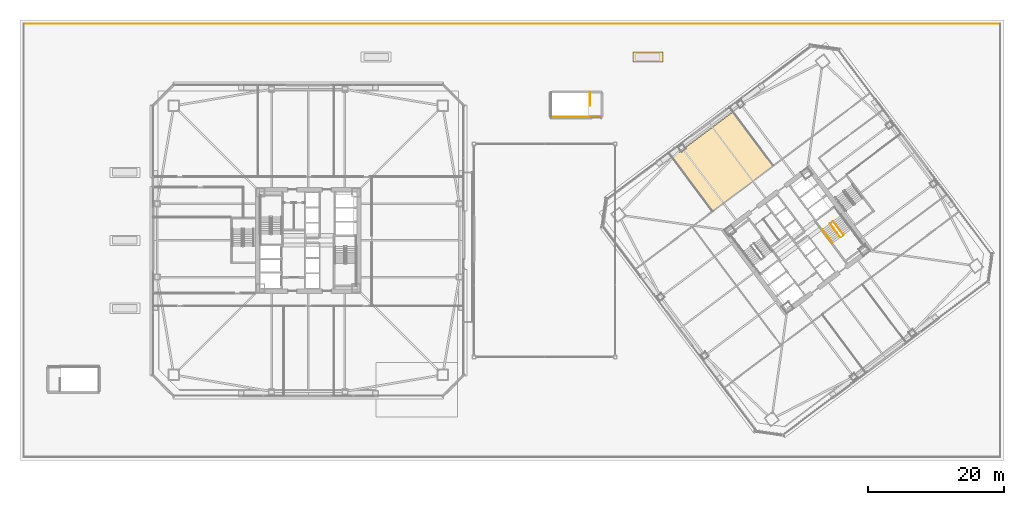
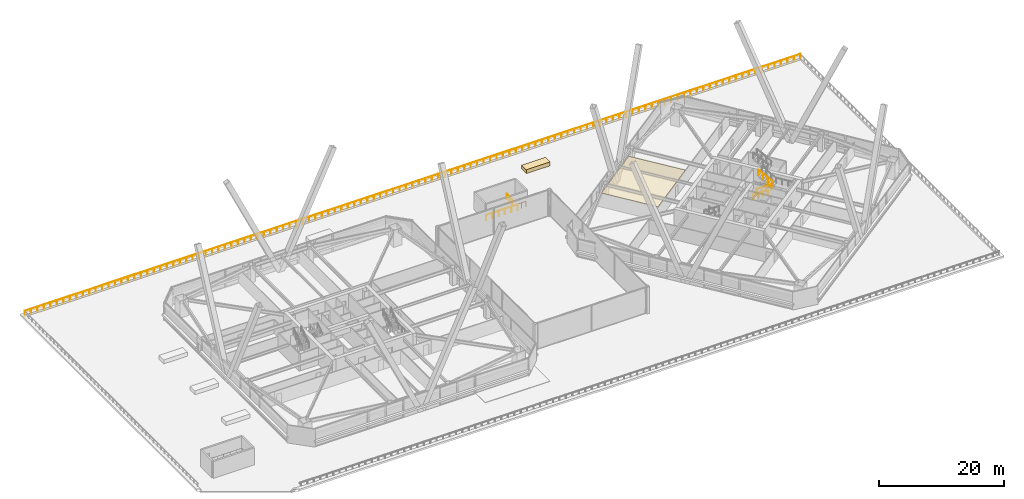
# One storey, part 80 of 83: 7 railings, 2 coverings.
"""IFC4 building model written with IfcOpenShell, lengths in metres."""

from ifc_helpers import new_model, si_unit, direction, frame, origin, origin_2d, place, context, subcontext, project, spatial, polyline, rectangle, outline, extrude, material, layer, layer_set, type_object, element, save


model = new_model("IFC4")

# Units and contexts
model_context = context("Model", 3, precision=1e-05, world=origin(), true_north=direction((0.0, 1.0)))
body_context = subcontext(model_context, "Body", "Model", "MODEL_VIEW")
ifc_project = project(units=[si_unit("LENGTHUNIT", "METRE"), si_unit("AREAUNIT", "SQUARE_METRE"), si_unit("VOLUMEUNIT", "CUBIC_METRE"), si_unit("PLANEANGLEUNIT", "RADIAN"), si_unit("MASSUNIT", "GRAM", prefix="KILO")], contexts=[model_context])

# Site, building, storey
site_placement = place(None, origin())
site = spatial("IfcSite", under=ifc_project, at=site_placement, CompositionType="ELEMENT")
building_placement = place(site_placement, origin())
building = spatial("IfcBuilding", under=site, at=building_placement, Name="Tashvorn Skyway Center", CompositionType="ELEMENT")
storey_placement = place(building_placement, frame((0.0, 0.0, 24.60009765625)))
storey = spatial("IfcBuildingStorey", under=building, at=storey_placement, Name="L05", CompositionType="ELEMENT", Elevation=24.60009765625)

# Coverings
ifc_material_1 = material(Name="Mineral-fibre acoustic ceiling tile on suspended grid")
ifc_layer_1 = layer(ifc_material_1, 0.02001953125)
ifc_layer_set_1 = layer_set([ifc_layer_1], Name="Mineral-fibre acoustic ceiling tile on suspended grid")
covering_type_1 = type_object("IfcCoveringType", Name="COV-CEIL-20", PredefinedType="CEILING", material=ifc_layer_set_1)
covering_1_placement = place(storey_placement, frame((0.0, 0.0, 2.682861328125)))
element("IfcCovering", 1, at=covering_1_placement, inside=storey, type_object=covering_type_1, Name="Tower 2 L05 Open Plan Office Acoustic Ceiling", PredefinedType="CEILING", context=body_context, shape_type="SweptSolid", body=[
    extrude(outline(polyline([(101.5400390625, 36.280029296875), (110.5, 43.0), (104.56005859375, 50.919921875), (95.60009765625, 44.199951171875), (101.5400390625, 36.280029296875)])), origin(), (0.0, 0.0, 1.0), 0.02001953125),
])
ifc_material_2 = material(Name="Precast concrete C40/50", Category="concrete")
ifc_layer_2 = layer(ifc_material_2, 0.35009765625)
ifc_layer_set_2 = layer_set([ifc_layer_2], Name="Precast concrete C40/50")
covering_type_2 = type_object("IfcCoveringType", Name="COV-STONE-TRIM", PredefinedType="CLADDING", material=ifc_layer_set_2)
covering_2_placement = place(storey_placement, frame((92.0, 59.0, 0.0), z_axis=(0.0, 0.0, 1.0), x_axis=(1.0, 0.0, 0.0)))
element("IfcCovering", 2, at=covering_2_placement, inside=storey, type_object=covering_type_2, Name="L05 Podium Roof Garden Stone Planter Kerb 5", PredefinedType="CLADDING", context=body_context, shape_type="SweptSolid", body=[
    extrude(rectangle(XDim=4.39990234375, YDim=1.5, at=origin_2d()), origin(), (0.0, 0.0, 1.0), 0.760009765625),
])

# Railings
ifc_material_3 = material(Name="Galvanized steel S355", Category="steel")
railing_type_1 = type_object("IfcRailingType", Name="RAIL-GUARD-1120", PredefinedType="GUARDRAIL", material=ifc_material_3)
railing_1_placement = place(storey_placement, frame((143.89990234375, 63.89990234375, 0.0)))
element("IfcRailing", 3, at=railing_1_placement, inside=storey, type_object=railing_type_1, Name="L05 Podium Roof Garden Perimeter Guardrail 03", PredefinedType="GUARDRAIL", context=body_context, shape_type="SweptSolid", body=[
    extrude(rectangle(XDim=0.048095703125, YDim=0.048095703125, at=origin_2d()), frame((0.0, 0.0, 1.09619140625), z_axis=(-1.0, 0.0, 0.0), x_axis=(0.0, -1.0, 0.0)), (0.0, 0.0, 1.0), 143.7998046875),
    extrude(rectangle(XDim=0.0419921875, YDim=0.0419921875, at=origin_2d()), origin(), (0.0, 0.0, 1.0), 1.072021484375),
    extrude(rectangle(XDim=0.0419921875, YDim=0.0419921875, at=origin_2d()), frame((-1.1982421875, 0.0, 0.0)), (0.0, 0.0, 1.0), 1.072021484375),
    extrude(rectangle(XDim=0.0419921875, YDim=0.0419921875, at=origin_2d()), frame((-2.396728515625, 0.0, 0.0)), (0.0, 0.0, 1.0), 1.072021484375),
    extrude(rectangle(XDim=0.0419921875, YDim=0.0419921875, at=origin_2d()), frame((-3.594970703125, 0.0, 0.0)), (0.0, 0.0, 1.0), 1.072021484375),
    extrude(rectangle(XDim=0.0419921875, YDim=0.0419921875, at=origin_2d()), frame((-4.793212890625, 0.0, 0.0)), (0.0, 0.0, 1.0), 1.072021484375),
    extrude(rectangle(XDim=0.0419921875, YDim=0.0419921875, at=origin_2d()), frame((-5.99169921875, 0.0, 0.0)), (0.0, 0.0, 1.0), 1.072021484375),
    extrude(rectangle(XDim=0.0419921875, YDim=0.0419921875, at=origin_2d()), frame((-7.18994140625, 0.0, 0.0)), (0.0, 0.0, 1.0), 1.072021484375),
    extrude(rectangle(XDim=0.0419921875, YDim=0.0419921875, at=origin_2d()), frame((-8.388427734375, 0.0, 0.0)), (0.0, 0.0, 1.0), 1.072021484375),
    extrude(rectangle(XDim=0.0419921875, YDim=0.0419921875, at=origin_2d()), frame((-9.586669921875, 0.0, 0.0)), (0.0, 0.0, 1.0), 1.072021484375),
    extrude(rectangle(XDim=0.0419921875, YDim=0.0419921875, at=origin_2d()), frame((-10.784912109375, 0.0, 0.0)), (0.0, 0.0, 1.0), 1.072021484375),
    extrude(rectangle(XDim=0.0419921875, YDim=0.0419921875, at=origin_2d()), frame((-11.9833984375, 0.0, 0.0)), (0.0, 0.0, 1.0), 1.072021484375),
    extrude(rectangle(XDim=0.0419921875, YDim=0.0419921875, at=origin_2d()), frame((-13.181640625, 0.0, 0.0)), (0.0, 0.0, 1.0), 1.072021484375),
    extrude(rectangle(XDim=0.0419921875, YDim=0.0419921875, at=origin_2d()), frame((-14.3798828125, 0.0, 0.0)), (0.0, 0.0, 1.0), 1.072021484375),
    extrude(rectangle(XDim=0.0419921875, YDim=0.0419921875, at=origin_2d()), frame((-15.578369140625, 0.0, 0.0)), (0.0, 0.0, 1.0), 1.072021484375),
    extrude(rectangle(XDim=0.0419921875, YDim=0.0419921875, at=origin_2d()), frame((-16.776611328125, 0.0, 0.0)), (0.0, 0.0, 1.0), 1.072021484375),
    extrude(rectangle(XDim=0.0419921875, YDim=0.0419921875, at=origin_2d()), frame((-17.97509765625, 0.0, 0.0)), (0.0, 0.0, 1.0), 1.072021484375),
    extrude(rectangle(XDim=0.0419921875, YDim=0.0419921875, at=origin_2d()), frame((-19.17333984375, 0.0, 0.0)), (0.0, 0.0, 1.0), 1.072021484375),
    extrude(rectangle(XDim=0.0419921875, YDim=0.0419921875, at=origin_2d()), frame((-20.37158203125, 0.0, 0.0)), (0.0, 0.0, 1.0), 1.072021484375),
    extrude(rectangle(XDim=0.0419921875, YDim=0.0419921875, at=origin_2d()), frame((-21.570068359375, 0.0, 0.0)), (0.0, 0.0, 1.0), 1.072021484375),
    extrude(rectangle(XDim=0.0419921875, YDim=0.0419921875, at=origin_2d()), frame((-22.768310546875, 0.0, 0.0)), (0.0, 0.0, 1.0), 1.072021484375),
    extrude(rectangle(XDim=0.0419921875, YDim=0.0419921875, at=origin_2d()), frame((-23.966552734375, 0.0, 0.0)), (0.0, 0.0, 1.0), 1.072021484375),
    extrude(rectangle(XDim=0.0419921875, YDim=0.0419921875, at=origin_2d()), frame((-25.1650390625, 0.0, 0.0)), (0.0, 0.0, 1.0), 1.072021484375),
    extrude(rectangle(XDim=0.0419921875, YDim=0.0419921875, at=origin_2d()), frame((-26.36328125, 0.0, 0.0)), (0.0, 0.0, 1.0), 1.072021484375),
    extrude(rectangle(XDim=0.0419921875, YDim=0.0419921875, at=origin_2d()), frame((-27.5615234375, 0.0, 0.0)), (0.0, 0.0, 1.0), 1.072021484375),
    extrude(rectangle(XDim=0.0419921875, YDim=0.0419921875, at=origin_2d()), frame((-28.760009765625, 0.0, 0.0)), (0.0, 0.0, 1.0), 1.072021484375),
    extrude(rectangle(XDim=0.0419921875, YDim=0.0419921875, at=origin_2d()), frame((-29.958251953125, 0.0, 0.0)), (0.0, 0.0, 1.0), 1.072021484375),
    extrude(rectangle(XDim=0.0419921875, YDim=0.0419921875, at=origin_2d()), frame((-31.15673828125, 0.0, 0.0)), (0.0, 0.0, 1.0), 1.072021484375),
    extrude(rectangle(XDim=0.0419921875, YDim=0.0419921875, at=origin_2d()), frame((-32.35498046875, 0.0, 0.0)), (0.0, 0.0, 1.0), 1.072021484375),
    extrude(rectangle(XDim=0.0419921875, YDim=0.0419921875, at=origin_2d()), frame((-33.55322265625, 0.0, 0.0)), (0.0, 0.0, 1.0), 1.072021484375),
    extrude(rectangle(XDim=0.0419921875, YDim=0.0419921875, at=origin_2d()), frame((-34.751708984375, 0.0, 0.0)), (0.0, 0.0, 1.0), 1.072021484375),
    extrude(rectangle(XDim=0.0419921875, YDim=0.0419921875, at=origin_2d()), frame((-35.949951171875, 0.0, 0.0)), (0.0, 0.0, 1.0), 1.072021484375),
    extrude(rectangle(XDim=0.0419921875, YDim=0.0419921875, at=origin_2d()), frame((-37.148193359375, 0.0, 0.0)), (0.0, 0.0, 1.0), 1.072021484375),
    extrude(rectangle(XDim=0.0419921875, YDim=0.0419921875, at=origin_2d()), frame((-38.3466796875, 0.0, 0.0)), (0.0, 0.0, 1.0), 1.072021484375),
    extrude(rectangle(XDim=0.0419921875, YDim=0.0419921875, at=origin_2d()), frame((-39.544921875, 0.0, 0.0)), (0.0, 0.0, 1.0), 1.072021484375),
    extrude(rectangle(XDim=0.0419921875, YDim=0.0419921875, at=origin_2d()), frame((-40.7431640625, 0.0, 0.0)), (0.0, 0.0, 1.0), 1.072021484375),
    extrude(rectangle(XDim=0.0419921875, YDim=0.0419921875, at=origin_2d()), frame((-41.941650390625, 0.0, 0.0)), (0.0, 0.0, 1.0), 1.072021484375),
    extrude(rectangle(XDim=0.0419921875, YDim=0.0419921875, at=origin_2d()), frame((-43.139892578125, 0.0, 0.0)), (0.0, 0.0, 1.0), 1.072021484375),
    extrude(rectangle(XDim=0.0419921875, YDim=0.0419921875, at=origin_2d()), frame((-44.33837890625, 0.0, 0.0)), (0.0, 0.0, 1.0), 1.072021484375),
    extrude(rectangle(XDim=0.0419921875, YDim=0.0419921875, at=origin_2d()), frame((-45.53662109375, 0.0, 0.0)), (0.0, 0.0, 1.0), 1.072021484375),
    extrude(rectangle(XDim=0.0419921875, YDim=0.0419921875, at=origin_2d()), frame((-46.73486328125, 0.0, 0.0)), (0.0, 0.0, 1.0), 1.072021484375),
    extrude(rectangle(XDim=0.0419921875, YDim=0.0419921875, at=origin_2d()), frame((-47.933349609375, 0.0, 0.0)), (0.0, 0.0, 1.0), 1.072021484375),
    extrude(rectangle(XDim=0.0419921875, YDim=0.0419921875, at=origin_2d()), frame((-49.131591796875, 0.0, 0.0)), (0.0, 0.0, 1.0), 1.072021484375),
    extrude(rectangle(XDim=0.0419921875, YDim=0.0419921875, at=origin_2d()), frame((-50.329833984375, 0.0, 0.0)), (0.0, 0.0, 1.0), 1.072021484375),
    extrude(rectangle(XDim=0.0419921875, YDim=0.0419921875, at=origin_2d()), frame((-51.5283203125, 0.0, 0.0)), (0.0, 0.0, 1.0), 1.072021484375),
    extrude(rectangle(XDim=0.0419921875, YDim=0.0419921875, at=origin_2d()), frame((-52.7265625, 0.0, 0.0)), (0.0, 0.0, 1.0), 1.072021484375),
    extrude(rectangle(XDim=0.0419921875, YDim=0.0419921875, at=origin_2d()), frame((-53.9248046875, 0.0, 0.0)), (0.0, 0.0, 1.0), 1.072021484375),
    extrude(rectangle(XDim=0.0419921875, YDim=0.0419921875, at=origin_2d()), frame((-55.123291015625, 0.0, 0.0)), (0.0, 0.0, 1.0), 1.072021484375),
    extrude(rectangle(XDim=0.0419921875, YDim=0.0419921875, at=origin_2d()), frame((-56.321533203125, 0.0, 0.0)), (0.0, 0.0, 1.0), 1.072021484375),
    extrude(rectangle(XDim=0.0419921875, YDim=0.0419921875, at=origin_2d()), frame((-57.52001953125, 0.0, 0.0)), (0.0, 0.0, 1.0), 1.072021484375),
    extrude(rectangle(XDim=0.0419921875, YDim=0.0419921875, at=origin_2d()), frame((-58.71826171875, 0.0, 0.0)), (0.0, 0.0, 1.0), 1.072021484375),
    extrude(rectangle(XDim=0.0419921875, YDim=0.0419921875, at=origin_2d()), frame((-59.91650390625, 0.0, 0.0)), (0.0, 0.0, 1.0), 1.072021484375),
    extrude(rectangle(XDim=0.0419921875, YDim=0.0419921875, at=origin_2d()), frame((-61.114990234375, 0.0, 0.0)), (0.0, 0.0, 1.0), 1.072021484375),
    extrude(rectangle(XDim=0.0419921875, YDim=0.0419921875, at=origin_2d()), frame((-62.313232421875, 0.0, 0.0)), (0.0, 0.0, 1.0), 1.072021484375),
    extrude(rectangle(XDim=0.0419921875, YDim=0.0419921875, at=origin_2d()), frame((-63.511474609375, 0.0, 0.0)), (0.0, 0.0, 1.0), 1.072021484375),
    extrude(rectangle(XDim=0.0419921875, YDim=0.0419921875, at=origin_2d()), frame((-64.7099609375, 0.0, 0.0)), (0.0, 0.0, 1.0), 1.072021484375),
    extrude(rectangle(XDim=0.0419921875, YDim=0.0419921875, at=origin_2d()), frame((-65.908203125, 0.0, 0.0)), (0.0, 0.0, 1.0), 1.072021484375),
    extrude(rectangle(XDim=0.0419921875, YDim=0.0419921875, at=origin_2d()), frame((-67.106689453125, 0.0, 0.0)), (0.0, 0.0, 1.0), 1.072021484375),
    extrude(rectangle(XDim=0.0419921875, YDim=0.0419921875, at=origin_2d()), frame((-68.304931640625, 0.0, 0.0)), (0.0, 0.0, 1.0), 1.072021484375),
    extrude(rectangle(XDim=0.0419921875, YDim=0.0419921875, at=origin_2d()), frame((-69.503173828125, 0.0, 0.0)), (0.0, 0.0, 1.0), 1.072021484375),
    extrude(rectangle(XDim=0.0419921875, YDim=0.0419921875, at=origin_2d()), frame((-70.70166015625, 0.0, 0.0)), (0.0, 0.0, 1.0), 1.072021484375),
    extrude(rectangle(XDim=0.0419921875, YDim=0.0419921875, at=origin_2d()), frame((-71.89990234375, 0.0, 0.0)), (0.0, 0.0, 1.0), 1.072021484375),
    extrude(rectangle(XDim=0.0419921875, YDim=0.0419921875, at=origin_2d()), frame((-73.09814453125, 0.0, 0.0)), (0.0, 0.0, 1.0), 1.072021484375),
    extrude(rectangle(XDim=0.0419921875, YDim=0.0419921875, at=origin_2d()), frame((-74.296630859375, 0.0, 0.0)), (0.0, 0.0, 1.0), 1.072021484375),
    extrude(rectangle(XDim=0.0419921875, YDim=0.0419921875, at=origin_2d()), frame((-75.494873046875, 0.0, 0.0)), (0.0, 0.0, 1.0), 1.072021484375),
    extrude(rectangle(XDim=0.0419921875, YDim=0.0419921875, at=origin_2d()), frame((-76.693115234375, 0.0, 0.0)), (0.0, 0.0, 1.0), 1.072021484375),
    extrude(rectangle(XDim=0.0419921875, YDim=0.0419921875, at=origin_2d()), frame((-77.8916015625, 0.0, 0.0)), (0.0, 0.0, 1.0), 1.072021484375),
    extrude(rectangle(XDim=0.0419921875, YDim=0.0419921875, at=origin_2d()), frame((-79.08984375, 0.0, 0.0)), (0.0, 0.0, 1.0), 1.072021484375),
    extrude(rectangle(XDim=0.0419921875, YDim=0.0419921875, at=origin_2d()), frame((-80.288330078125, 0.0, 0.0)), (0.0, 0.0, 1.0), 1.072021484375),
    extrude(rectangle(XDim=0.0419921875, YDim=0.0419921875, at=origin_2d()), frame((-81.486572265625, 0.0, 0.0)), (0.0, 0.0, 1.0), 1.072021484375),
    extrude(rectangle(XDim=0.0419921875, YDim=0.0419921875, at=origin_2d()), frame((-82.684814453125, 0.0, 0.0)), (0.0, 0.0, 1.0), 1.072021484375),
    extrude(rectangle(XDim=0.0419921875, YDim=0.0419921875, at=origin_2d()), frame((-83.88330078125, 0.0, 0.0)), (0.0, 0.0, 1.0), 1.072021484375),
    extrude(rectangle(XDim=0.0419921875, YDim=0.0419921875, at=origin_2d()), frame((-85.08154296875, 0.0, 0.0)), (0.0, 0.0, 1.0), 1.072021484375),
    extrude(rectangle(XDim=0.0419921875, YDim=0.0419921875, at=origin_2d()), frame((-86.27978515625, 0.0, 0.0)), (0.0, 0.0, 1.0), 1.072021484375),
    extrude(rectangle(XDim=0.0419921875, YDim=0.0419921875, at=origin_2d()), frame((-87.478271484375, 0.0, 0.0)), (0.0, 0.0, 1.0), 1.072021484375),
    extrude(rectangle(XDim=0.0419921875, YDim=0.0419921875, at=origin_2d()), frame((-88.676513671875, 0.0, 0.0)), (0.0, 0.0, 1.0), 1.072021484375),
    extrude(rectangle(XDim=0.0419921875, YDim=0.0419921875, at=origin_2d()), frame((-89.875, 0.0, 0.0)), (0.0, 0.0, 1.0), 1.072021484375),
    extrude(rectangle(XDim=0.0419921875, YDim=0.0419921875, at=origin_2d()), frame((-91.0732421875, 0.0, 0.0)), (0.0, 0.0, 1.0), 1.072021484375),
    extrude(rectangle(XDim=0.0419921875, YDim=0.0419921875, at=origin_2d()), frame((-92.271484375, 0.0, 0.0)), (0.0, 0.0, 1.0), 1.072021484375),
    extrude(rectangle(XDim=0.0419921875, YDim=0.0419921875, at=origin_2d()), frame((-93.469970703125, 0.0, 0.0)), (0.0, 0.0, 1.0), 1.072021484375),
    extrude(rectangle(XDim=0.0419921875, YDim=0.0419921875, at=origin_2d()), frame((-94.668212890625, 0.0, 0.0)), (0.0, 0.0, 1.0), 1.072021484375),
    extrude(rectangle(XDim=0.0419921875, YDim=0.0419921875, at=origin_2d()), frame((-95.866455078125, 0.0, 0.0)), (0.0, 0.0, 1.0), 1.072021484375),
    extrude(rectangle(XDim=0.0419921875, YDim=0.0419921875, at=origin_2d()), frame((-97.06494140625, 0.0, 0.0)), (0.0, 0.0, 1.0), 1.072021484375),
    extrude(rectangle(XDim=0.0419921875, YDim=0.0419921875, at=origin_2d()), frame((-98.26318359375, 0.0, 0.0)), (0.0, 0.0, 1.0), 1.072021484375),
    extrude(rectangle(XDim=0.0419921875, YDim=0.0419921875, at=origin_2d()), frame((-99.46142578125, 0.0, 0.0)), (0.0, 0.0, 1.0), 1.072021484375),
    extrude(rectangle(XDim=0.0419921875, YDim=0.0419921875, at=origin_2d()), frame((-100.659912109375, 0.0, 0.0)), (0.0, 0.0, 1.0), 1.072021484375),
    extrude(rectangle(XDim=0.0419921875, YDim=0.0419921875, at=origin_2d()), frame((-101.858154296875, 0.0, 0.0)), (0.0, 0.0, 1.0), 1.072021484375),
    extrude(rectangle(XDim=0.0419921875, YDim=0.0419921875, at=origin_2d()), frame((-103.056640625, 0.0, 0.0)), (0.0, 0.0, 1.0), 1.072021484375),
    extrude(rectangle(XDim=0.0419921875, YDim=0.0419921875, at=origin_2d()), frame((-104.2548828125, 0.0, 0.0)), (0.0, 0.0, 1.0), 1.072021484375),
    extrude(rectangle(XDim=0.0419921875, YDim=0.0419921875, at=origin_2d()), frame((-105.453125, 0.0, 0.0)), (0.0, 0.0, 1.0), 1.072021484375),
    extrude(rectangle(XDim=0.0419921875, YDim=0.0419921875, at=origin_2d()), frame((-106.651611328125, 0.0, 0.0)), (0.0, 0.0, 1.0), 1.072021484375),
    extrude(rectangle(XDim=0.0419921875, YDim=0.0419921875, at=origin_2d()), frame((-107.849853515625, 0.0, 0.0)), (0.0, 0.0, 1.0), 1.072021484375),
    extrude(rectangle(XDim=0.0419921875, YDim=0.0419921875, at=origin_2d()), frame((-109.048095703125, 0.0, 0.0)), (0.0, 0.0, 1.0), 1.072021484375),
    extrude(rectangle(XDim=0.0419921875, YDim=0.0419921875, at=origin_2d()), frame((-110.24658203125, 0.0, 0.0)), (0.0, 0.0, 1.0), 1.072021484375),
    extrude(rectangle(XDim=0.0419921875, YDim=0.0419921875, at=origin_2d()), frame((-111.44482421875, 0.0, 0.0)), (0.0, 0.0, 1.0), 1.072021484375),
    extrude(rectangle(XDim=0.0419921875, YDim=0.0419921875, at=origin_2d()), frame((-112.64306640625, 0.0, 0.0)), (0.0, 0.0, 1.0), 1.072021484375),
    extrude(rectangle(XDim=0.0419921875, YDim=0.0419921875, at=origin_2d()), frame((-113.841552734375, 0.0, 0.0)), (0.0, 0.0, 1.0), 1.072021484375),
    extrude(rectangle(XDim=0.0419921875, YDim=0.0419921875, at=origin_2d()), frame((-115.039794921875, 0.0, 0.0)), (0.0, 0.0, 1.0), 1.072021484375),
    extrude(rectangle(XDim=0.0419921875, YDim=0.0419921875, at=origin_2d()), frame((-116.23828125, 0.0, 0.0)), (0.0, 0.0, 1.0), 1.072021484375),
    extrude(rectangle(XDim=0.0419921875, YDim=0.0419921875, at=origin_2d()), frame((-117.4365234375, 0.0, 0.0)), (0.0, 0.0, 1.0), 1.072021484375),
    extrude(rectangle(XDim=0.0419921875, YDim=0.0419921875, at=origin_2d()), frame((-118.634765625, 0.0, 0.0)), (0.0, 0.0, 1.0), 1.072021484375),
    extrude(rectangle(XDim=0.0419921875, YDim=0.0419921875, at=origin_2d()), frame((-119.833251953125, 0.0, 0.0)), (0.0, 0.0, 1.0), 1.072021484375),
    extrude(rectangle(XDim=0.0419921875, YDim=0.0419921875, at=origin_2d()), frame((-121.031494140625, 0.0, 0.0)), (0.0, 0.0, 1.0), 1.072021484375),
    extrude(rectangle(XDim=0.0419921875, YDim=0.0419921875, at=origin_2d()), frame((-122.229736328125, 0.0, 0.0)), (0.0, 0.0, 1.0), 1.072021484375),
    extrude(rectangle(XDim=0.0419921875, YDim=0.0419921875, at=origin_2d()), frame((-123.42822265625, 0.0, 0.0)), (0.0, 0.0, 1.0), 1.072021484375),
    extrude(rectangle(XDim=0.0419921875, YDim=0.0419921875, at=origin_2d()), frame((-124.62646484375, 0.0, 0.0)), (0.0, 0.0, 1.0), 1.072021484375),
    extrude(rectangle(XDim=0.0419921875, YDim=0.0419921875, at=origin_2d()), frame((-125.82470703125, 0.0, 0.0)), (0.0, 0.0, 1.0), 1.072021484375),
    extrude(rectangle(XDim=0.0419921875, YDim=0.0419921875, at=origin_2d()), frame((-127.023193359375, 0.0, 0.0)), (0.0, 0.0, 1.0), 1.072021484375),
    extrude(rectangle(XDim=0.0419921875, YDim=0.0419921875, at=origin_2d()), frame((-128.221435546875, 0.0, 0.0)), (0.0, 0.0, 1.0), 1.072021484375),
    extrude(rectangle(XDim=0.0419921875, YDim=0.0419921875, at=origin_2d()), frame((-129.419921875, 0.0, 0.0)), (0.0, 0.0, 1.0), 1.072021484375),
    extrude(rectangle(XDim=0.0419921875, YDim=0.0419921875, at=origin_2d()), frame((-130.6181640625, 0.0, 0.0)), (0.0, 0.0, 1.0), 1.072021484375),
    extrude(rectangle(XDim=0.0419921875, YDim=0.0419921875, at=origin_2d()), frame((-131.81640625, 0.0, 0.0)), (0.0, 0.0, 1.0), 1.072021484375),
    extrude(rectangle(XDim=0.0419921875, YDim=0.0419921875, at=origin_2d()), frame((-133.014892578125, 0.0, 0.0)), (0.0, 0.0, 1.0), 1.072021484375),
    extrude(rectangle(XDim=0.0419921875, YDim=0.0419921875, at=origin_2d()), frame((-134.213134765625, 0.0, 0.0)), (0.0, 0.0, 1.0), 1.072021484375),
    extrude(rectangle(XDim=0.0419921875, YDim=0.0419921875, at=origin_2d()), frame((-135.411376953125, 0.0, 0.0)), (0.0, 0.0, 1.0), 1.072021484375),
    extrude(rectangle(XDim=0.0419921875, YDim=0.0419921875, at=origin_2d()), frame((-136.60986328125, 0.0, 0.0)), (0.0, 0.0, 1.0), 1.072021484375),
    extrude(rectangle(XDim=0.0419921875, YDim=0.0419921875, at=origin_2d()), frame((-137.80810546875, 0.0, 0.0)), (0.0, 0.0, 1.0), 1.072021484375),
    extrude(rectangle(XDim=0.0419921875, YDim=0.0419921875, at=origin_2d()), frame((-139.006591796875, 0.0, 0.0)), (0.0, 0.0, 1.0), 1.072021484375),
    extrude(rectangle(XDim=0.0419921875, YDim=0.0419921875, at=origin_2d()), frame((-140.204833984375, 0.0, 0.0)), (0.0, 0.0, 1.0), 1.072021484375),
    extrude(rectangle(XDim=0.0419921875, YDim=0.0419921875, at=origin_2d()), frame((-141.403076171875, 0.0, 0.0)), (0.0, 0.0, 1.0), 1.072021484375),
    extrude(rectangle(XDim=0.0419921875, YDim=0.0419921875, at=origin_2d()), frame((-142.6015625, 0.0, 0.0)), (0.0, 0.0, 1.0), 1.072021484375),
    extrude(rectangle(XDim=0.0419921875, YDim=0.0419921875, at=origin_2d()), frame((-143.7998046875, 0.0, 0.0)), (0.0, 0.0, 1.0), 1.072021484375),
])
ifc_material_4 = material(Name="Brushed stainless steel 316", Category="steel")
railing_type_2 = type_object("IfcRailingType", Name="RAIL-HAND-920", PredefinedType="HANDRAIL", material=ifc_material_4)
railing_2_placement = place(storey_placement, frame((117.7119140625, 33.634033203125, 0.177490234375)))
element("IfcRailing", 4, at=railing_2_placement, inside=storey, type_object=railing_type_2, Name="L05 ST-T2-2 stair handrail 1", PredefinedType="HANDRAIL", context=body_context, shape_type="SweptSolid", body=[
    extrude(rectangle(XDim=0.048095703125, YDim=0.048095703125, at=origin_2d()), frame((0.0, 0.0, 0.8759765625), z_axis=(0.506801609611, -0.675680931896, 0.535357270211), x_axis=(0.799976749893, 0.600030998891, 0.0)), (0.0, 0.0, 1.0), 2.98388671875),
    extrude(rectangle(XDim=0.0419921875, YDim=0.0419921875, at=origin_2d()), origin(), (0.0, 0.0, 1.0), 0.851806640625),
    extrude(rectangle(XDim=0.0419921875, YDim=0.0419921875, at=origin_2d()), frame((0.504150390625, -0.672119140625, 0.532470703125)), (0.0, 0.0, 1.0), 0.851806640625),
    extrude(rectangle(XDim=0.0419921875, YDim=0.0419921875, at=origin_2d()), frame((1.008056640625, -1.343994140625, 1.06494140625)), (0.0, 0.0, 1.0), 0.851806640625),
    extrude(rectangle(XDim=0.0419921875, YDim=0.0419921875, at=origin_2d()), frame((1.51220703125, -2.01611328125, 1.597412109375)), (0.0, 0.0, 1.0), 0.851806640625),
])
ifc_material_5 = material(Name="Painted galvanized steel S355", Category="steel")
railing_type_3 = type_object("IfcRailingType", Name="RAIL-STGUARD-1100", PredefinedType="GUARDRAIL", material=ifc_material_5)
railing_3_placement = place(storey_placement, frame((118.83203125, 34.47412109375, 0.177490234375)))
element("IfcRailing", 5, at=railing_3_placement, inside=storey, type_object=railing_type_3, Name="L05 ST-T2-2 stair guard 1", PredefinedType="GUARDRAIL", context=body_context, shape_type="SweptSolid", body=[
    extrude(rectangle(XDim=0.048095703125, YDim=0.048095703125, at=origin_2d()), frame((0.0, 0.0, 1.076171875), z_axis=(0.506740800098, -0.675708949977, 0.535379469569), x_axis=(0.800023250257, 0.599968998406, 0.0)), (0.0, 0.0, 1.0), 2.983642578125),
    extrude(rectangle(XDim=0.0419921875, YDim=0.0419921875, at=origin_2d()), origin(), (0.0, 0.0, 1.0), 1.052001953125),
    extrude(rectangle(XDim=0.0419921875, YDim=0.0419921875, at=origin_2d()), frame((0.50390625, -0.672119140625, 0.532470703125)), (0.0, 0.0, 1.0), 1.052001953125),
    extrude(rectangle(XDim=0.0419921875, YDim=0.0419921875, at=origin_2d()), frame((1.008056640625, -1.343994140625, 1.06494140625)), (0.0, 0.0, 1.0), 1.052001953125),
    extrude(rectangle(XDim=0.0419921875, YDim=0.0419921875, at=origin_2d()), frame((1.511962890625, -2.01611328125, 1.597412109375)), (0.0, 0.0, 1.0), 1.052001953125),
])
railing_4_placement = place(storey_placement, frame((120.80810546875, 32.805908203125, 1.952392578125)))
element("IfcRailing", 6, at=railing_4_placement, inside=storey, type_object=railing_type_3, Name="L05 ST-T2-2 stair guard 4", PredefinedType="GUARDRAIL", context=body_context, shape_type="SweptSolid", body=[
    extrude(rectangle(XDim=0.048095703125, YDim=0.048095703125, at=origin_2d()), frame((0.0, 0.0, 1.076171875), z_axis=(-0.506801609611, 0.675680931896, 0.535357270211), x_axis=(-0.799976749893, -0.600030998891, 0.0)), (0.0, 0.0, 1.0), 2.98388671875),
    extrude(rectangle(XDim=0.0419921875, YDim=0.0419921875, at=origin_2d()), origin(), (0.0, 0.0, 1.0), 1.052001953125),
    extrude(rectangle(XDim=0.0419921875, YDim=0.0419921875, at=origin_2d()), frame((-0.504150390625, 0.672119140625, 0.532470703125)), (0.0, 0.0, 1.0), 1.052001953125),
    extrude(rectangle(XDim=0.0419921875, YDim=0.0419921875, at=origin_2d()), frame((-1.008056640625, 1.343994140625, 1.06494140625)), (0.0, 0.0, 1.0), 1.052001953125),
    extrude(rectangle(XDim=0.0419921875, YDim=0.0419921875, at=origin_2d()), frame((-1.51220703125, 2.01611328125, 1.597412109375)), (0.0, 0.0, 1.0), 1.052001953125),
])
railing_5_placement = place(storey_placement, frame((83.5, 53.699951171875, 0.0)))
element("IfcRailing", 7, at=railing_5_placement, inside=storey, type_object=railing_type_3, Name="L05 ST-POD-2 top well guard 1", PredefinedType="GUARDRAIL", context=body_context, shape_type="SweptSolid", body=[
    extrude(rectangle(XDim=0.048095703125, YDim=0.048095703125, at=origin_2d()), frame((0.0, 0.0, 1.076171875), z_axis=(0.0, -1.0, 0.0), x_axis=(1.0, 0.0, 0.0)), (0.0, 0.0, 1.0), 1.849853515625),
    extrude(rectangle(XDim=0.0419921875, YDim=0.0419921875, at=origin_2d()), origin(), (0.0, 0.0, 1.0), 1.052001953125),
    extrude(rectangle(XDim=0.0419921875, YDim=0.0419921875, at=origin_2d()), frame((0.0, -0.9248046875, 0.0)), (0.0, 0.0, 1.0), 1.052001953125),
    extrude(rectangle(XDim=0.0419921875, YDim=0.0419921875, at=origin_2d()), frame((0.0, -1.849853515625, 0.0)), (0.0, 0.0, 1.0), 1.052001953125),
])
railing_6_placement = place(storey_placement, frame((83.550048828125, 50.14990234375, 0.0)))
element("IfcRailing", 8, at=railing_6_placement, inside=storey, type_object=railing_type_3, Name="L05 ST-POD-2 top well guard 2", PredefinedType="GUARDRAIL", context=body_context, shape_type="SweptSolid", body=[
    extrude(rectangle(XDim=0.048095703125, YDim=0.048095703125, at=origin_2d()), frame((0.0, 0.0, 1.076171875), z_axis=(-1.0, 0.0, 0.0), x_axis=(0.0, -1.0, 0.0)), (0.0, 0.0, 1.0), 5.85009765625),
    extrude(rectangle(XDim=0.0419921875, YDim=0.0419921875, at=origin_2d()), origin(), (0.0, 0.0, 1.0), 1.052001953125),
    extrude(rectangle(XDim=0.0419921875, YDim=0.0419921875, at=origin_2d()), frame((-1.169921875, 0.0, 0.0)), (0.0, 0.0, 1.0), 1.052001953125),
    extrude(rectangle(XDim=0.0419921875, YDim=0.0419921875, at=origin_2d()), frame((-2.340087890625, 0.0, 0.0)), (0.0, 0.0, 1.0), 1.052001953125),
    extrude(rectangle(XDim=0.0419921875, YDim=0.0419921875, at=origin_2d()), frame((-3.510009765625, 0.0, 0.0)), (0.0, 0.0, 1.0), 1.052001953125),
    extrude(rectangle(XDim=0.0419921875, YDim=0.0419921875, at=origin_2d()), frame((-4.68017578125, 0.0, 0.0)), (0.0, 0.0, 1.0), 1.052001953125),
    extrude(rectangle(XDim=0.0419921875, YDim=0.0419921875, at=origin_2d()), frame((-5.85009765625, 0.0, 0.0)), (0.0, 0.0, 1.0), 1.052001953125),
])
railing_7_placement = place(storey_placement, frame((85.10009765625, 50.25, 0.0)))
element("IfcRailing", 9, at=railing_7_placement, inside=storey, type_object=railing_type_3, Name="L05 ST-POD-2 top well guard 4", PredefinedType="GUARDRAIL", context=body_context, shape_type="SweptSolid", body=[
    extrude(rectangle(XDim=0.048095703125, YDim=0.048095703125, at=origin_2d()), frame((0.0, 0.0, 1.076171875), z_axis=(-1.0, 0.0, 0.0), x_axis=(0.0, -1.0, 0.0)), (0.0, 0.0, 1.0), 1.650146484375),
    extrude(rectangle(XDim=0.0419921875, YDim=0.0419921875, at=origin_2d()), origin(), (0.0, 0.0, 1.0), 1.052001953125),
    extrude(rectangle(XDim=0.0419921875, YDim=0.0419921875, at=origin_2d()), frame((-0.8251953125, 0.0, 0.0)), (0.0, 0.0, 1.0), 1.052001953125),
    extrude(rectangle(XDim=0.0419921875, YDim=0.0419921875, at=origin_2d()), frame((-1.650146484375, 0.0, 0.0)), (0.0, 0.0, 1.0), 1.052001953125),
])

save(model, "model.ifc")
